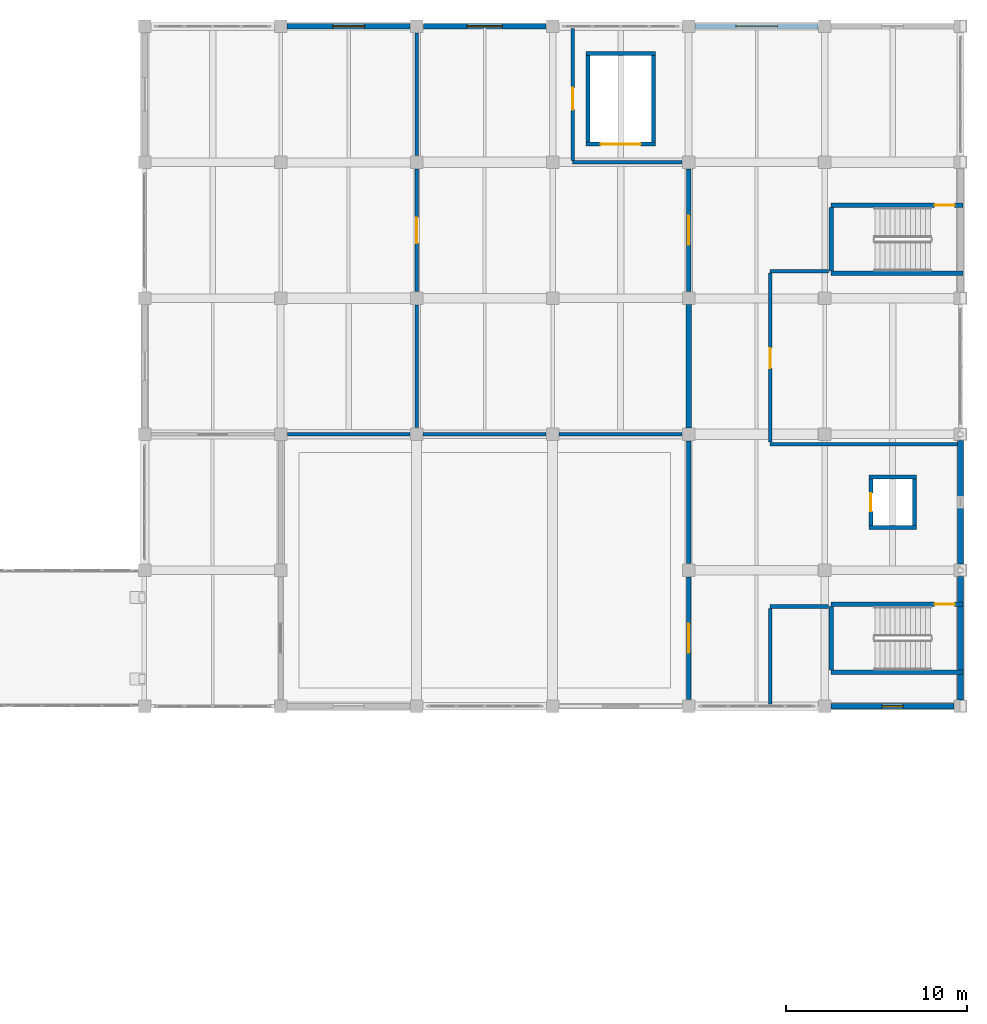
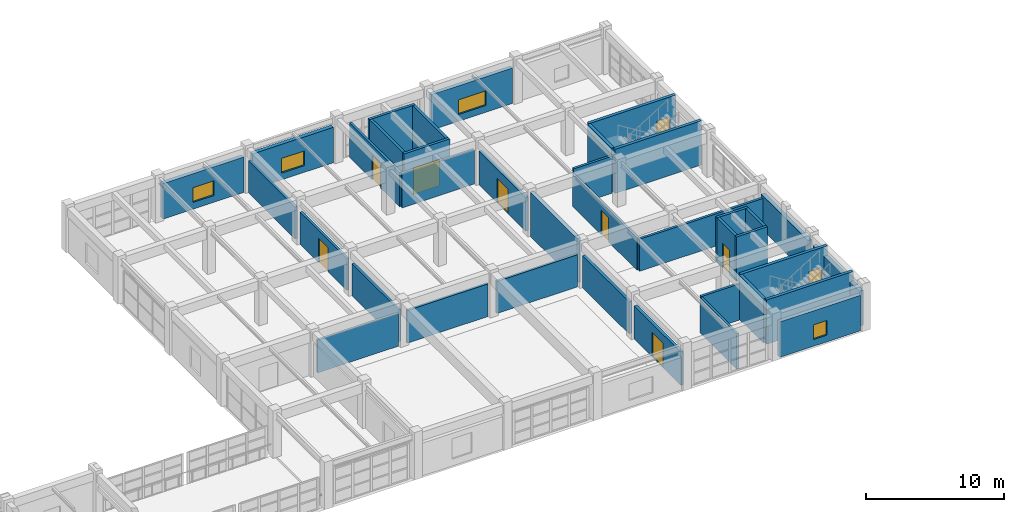
# One storey, part 108 of 132: 37 walls, 9 doors, 4 windows, 13 openings.
"""IFC4 building model written with IfcOpenShell, lengths in metres."""

import ifcopenshell
import ifcopenshell.guid

model = None  # the IFC model being written
_history = None  # IfcOwnerHistory: only IFC2X3 demands one
_inside = {}  # id of a spatial element -> (the spatial element, [elements in it])
_under = {}  # id of a project, library or spatial element -> (it, [spatial elements below it])
_declared = {}  # id of a project -> (the project, [libraries it declares])
_typed = {}  # id of a type object -> (the type object, [elements of that type])
_made_of = {}  # id of a material, layer set ... -> (it, [elements and type objects made of it])


def new_model(schema):
    """Start an empty IFC model of exactly this schema.

    Asked for "IFC4X3", IfcOpenShell would pick the latest addendum, in which some entities
    have other attributes; the version numbers below select the first issue.
    IFC2X3 requires an IfcOwnerHistory on every rooted entity: one is made here for all.
    """
    global model, _history
    if schema == "IFC4X3":
        model = ifcopenshell.file(schema_version=(4, 3, 0, 0))
    else:
        model = ifcopenshell.file(schema=schema)
    _inside.clear()
    _under.clear()
    _declared.clear()
    _typed.clear()
    _made_of.clear()
    _history = None
    if model.schema == "IFC2X3":
        org = make("IfcOrganization", Name="unknown")
        user = make(
            "IfcPersonAndOrganization",
            ThePerson=make("IfcPerson", FamilyName="unknown"),
            TheOrganization=org,
        )
        app = make(
            "IfcApplication",
            ApplicationDeveloper=org,
            Version="unknown",
            ApplicationFullName="unknown",
            ApplicationIdentifier="unknown",
        )
        _history = make(
            "IfcOwnerHistory",
            OwningUser=user,
            OwningApplication=app,
            ChangeAction="ADDED",
            CreationDate=0,
        )
    return model


def make(cls, **values):
    """One entity of the class cls with the attributes given. An attribute that is None is left unset."""
    return model.create_entity(
        cls, **{name: value for name, value in values.items() if value is not None}
    )


def rooted(cls, **values):
    """An entity with a GlobalId (a new one), such as an element, a storey or a relation."""
    return make(cls, GlobalId=ifcopenshell.guid.new(), OwnerHistory=_history, **values)


def si_unit(unit_type, name, prefix=None):
    """IfcSIUnit, for example si_unit("LENGTHUNIT", "METRE", prefix="MILLI")."""
    return make("IfcSIUnit", UnitType=unit_type, Prefix=prefix, Name=name)


def assignment(units):
    """IfcUnitAssignment: the units of a project."""
    return None if units is None else make("IfcUnitAssignment", Units=units)


def point(xyz):
    """IfcCartesianPoint."""
    return None if xyz is None else make("IfcCartesianPoint", Coordinates=xyz)


def direction(xyz):
    """IfcDirection."""
    return None if xyz is None else make("IfcDirection", DirectionRatios=xyz)


def frame(location, z_axis=None, x_axis=None):
    """IfcAxis2Placement3D, a coordinate frame: its origin and axes. An axis left out is left unset."""
    return make(
        "IfcAxis2Placement3D",
        Location=point(location),
        Axis=direction(z_axis),
        RefDirection=direction(x_axis),
    )


def frame_2d(location, x_axis=None):
    """IfcAxis2Placement2D, a coordinate frame in the plane: its origin and x axis."""
    return make(
        "IfcAxis2Placement2D", Location=point(location), RefDirection=direction(x_axis)
    )


def origin():
    """The frame at (0, 0, 0) with its axes left unset."""
    return frame((0.0, 0.0, 0.0))


def place(relative_to, where):
    """IfcLocalPlacement: puts the frame where relative to a parent placement (None: the world)."""
    return make(
        "IfcLocalPlacement", PlacementRelTo=relative_to, RelativePlacement=where
    )


def context(
    kind, dimensions, precision=None, world=None, true_north=None, identifier=None
):
    """IfcGeometricRepresentationContext, for example the 3D "Model" context."""
    return make(
        "IfcGeometricRepresentationContext",
        ContextIdentifier=identifier,
        ContextType=kind,
        CoordinateSpaceDimension=dimensions,
        Precision=precision,
        WorldCoordinateSystem=world,
        TrueNorth=true_north,
    )


def subcontext(parent, identifier, kind, view, scale=None):
    """IfcGeometricRepresentationSubContext, for example "Body" below "Model"."""
    return make(
        "IfcGeometricRepresentationSubContext",
        ContextIdentifier=identifier,
        ContextType=kind,
        ParentContext=parent,
        TargetScale=scale,
        TargetView=view,
    )


def project(units=None, contexts=None):
    """IfcProject with its units and contexts."""
    return rooted(
        "IfcProject",
        Name="project",
        RepresentationContexts=contexts,
        UnitsInContext=assignment(units),
    )


def spatial(cls, under=None, at=None, **own):
    """A site, building, storey or space (cls), placed at a placement, below another one or the project."""
    s = rooted(cls, ObjectPlacement=at, **own)
    if under is not None:
        _under.setdefault(under.id(), (under, []))[1].append(s)
    return s


def profile(cls, at=None, kind="AREA", **sizes):
    """A parametric profile (cls). Its sizes go by their IFC names, for example OverallWidth=200.0."""
    return make(cls, ProfileType=kind, Position=at, **sizes)


def rectangle(**sizes):
    """IfcRectangleProfileDef."""
    return profile("IfcRectangleProfileDef", **sizes)


def extrude(swept, where, along, depth):
    """IfcExtrudedAreaSolid: the profile swept, set in the frame where, extruded along a direction by depth."""
    return make(
        "IfcExtrudedAreaSolid",
        SweptArea=swept,
        Position=where,
        ExtrudedDirection=direction(along),
        Depth=depth,
    )


def shape(context_of_items, identifier, shape_type, items):
    """IfcShapeRepresentation: the items that make up one representation, for example the "Body"."""
    return make(
        "IfcShapeRepresentation",
        ContextOfItems=context_of_items,
        RepresentationIdentifier=identifier,
        RepresentationType=shape_type,
        Items=items,
    )


def material(Name=None, Category=None):
    """IfcMaterial."""
    return make("IfcMaterial", Name=Name, Category=Category)


def layer(
    of_material, thickness, ventilated=None, Name=None, Category=None, Priority=None
):
    """IfcMaterialLayer: one layer of a wall or slab, of a material (None: an air gap)."""
    return make(
        "IfcMaterialLayer",
        Material=of_material,
        LayerThickness=thickness,
        IsVentilated=ventilated,
        Name=Name,
        Category=Category,
        Priority=Priority,
    )


def layer_set(layers, Name=None):
    """IfcMaterialLayerSet."""
    return make("IfcMaterialLayerSet", MaterialLayers=layers, LayerSetName=Name)


def made_of(thing, what):
    """Note that an element or type object is made of a material, layer set ...; save() writes the relation."""
    if what is not None:
        _made_of.setdefault(what.id(), (what, []))[1].append(thing)
    return thing


def type_object(cls, material=None, **own):
    """A type object (cls), such as IfcWallType, which elements share."""
    return made_of(rooted(cls, **own), material)


def element(
    cls,
    number,
    at=None,
    inside=None,
    cuts=None,
    type_object=None,
    material=None,
    context=None,
    identifier="Body",
    shape_type=None,
    held_by="IfcProductDefinitionShape",
    body=None,
    shapes=None,
    **own,
):
    """One element of the class cls, such as IfcWall. Its Tag is "e" and its number.

    at: its placement. inside: the storey or other place that contains it. cuts: it is an
    opening in that element (IfcRelVoidsElement). A single representation is given by context,
    identifier, shape_type and body (its items); several are given by shapes. held_by: the class
    of the entity that holds the representations. save() writes the other relations.
    """
    e = rooted(cls, Tag="e%d" % number, ObjectPlacement=at, **own)
    if body is not None:
        shapes = [shape(context, identifier, shape_type, body)]
    if shapes is not None:
        e.Representation = make(held_by, Representations=shapes)
    if inside is not None:
        _inside.setdefault(inside.id(), (inside, []))[1].append(e)
    if cuts is not None:
        rooted(
            "IfcRelVoidsElement", RelatingBuildingElement=cuts, RelatedOpeningElement=e
        )
    if type_object is not None:
        _typed.setdefault(type_object.id(), (type_object, []))[1].append(e)
    return made_of(e, material)


def fill(opening, filler):
    """IfcRelFillsElement: the door or window that sits in an opening."""
    return rooted(
        "IfcRelFillsElement",
        RelatingOpeningElement=opening,
        RelatedBuildingElement=filler,
    )


def aggregate(whole, parts):
    """IfcRelAggregates: a whole, such as a stair, and the parts it consists of."""
    return rooted("IfcRelAggregates", RelatingObject=whole, RelatedObjects=parts)


def save(model, path):
    """Write the relations noted so far, then the file.

    IfcRelAggregates (storeys below a building ...), IfcRelContainedInSpatialStructure (elements
    in a storey), IfcRelDefinesByType, IfcRelAssociatesMaterial and IfcRelDeclares: one each for
    every whole, place, type object, material and project.
    """
    for whole, parts in _under.values():
        aggregate(whole, parts)
    for where, things in _inside.values():
        rooted(
            "IfcRelContainedInSpatialStructure",
            RelatedElements=things,
            RelatingStructure=where,
        )
    for kind, things in _typed.values():
        rooted("IfcRelDefinesByType", RelatedObjects=things, RelatingType=kind)
    for what, things in _made_of.values():
        rooted("IfcRelAssociatesMaterial", RelatedObjects=things, RelatingMaterial=what)
    for by, libraries in _declared.values():
        rooted("IfcRelDeclares", RelatingContext=by, RelatedDefinitions=libraries)
    model.write(path)


model = new_model("IFC4")

# Units and contexts
model_context = context("Model", 3, precision=1e-05, world=origin(), true_north=direction((0.0, 1.0)))
body_context = subcontext(model_context, "Body", "Model", "MODEL_VIEW")
ifc_project = project(units=[si_unit("LENGTHUNIT", "METRE"), si_unit("AREAUNIT", "SQUARE_METRE"), si_unit("VOLUMEUNIT", "CUBIC_METRE"), si_unit("PLANEANGLEUNIT", "RADIAN"), si_unit("MASSUNIT", "GRAM", prefix="KILO")], contexts=[model_context])

# Site, building, storey
site_placement = place(None, origin())
site = spatial("IfcSite", under=ifc_project, at=site_placement, CompositionType="ELEMENT")
building_placement = place(site_placement, origin())
building = spatial("IfcBuilding", under=site, at=building_placement, Name="Qasida Concert Hall", CompositionType="ELEMENT")
storey_placement = place(building_placement, frame((0.0, 0.0, 4.800048828125)))
storey = spatial("IfcBuildingStorey", under=building, at=storey_placement, Name="L01", CompositionType="ELEMENT", Elevation=4.800048828125)

# Walls
ifc_material_1 = material(Name="Concrete C40/50", Category="concrete")
ifc_layer_1 = layer(ifc_material_1, 0.219970703125, Name="Concrete C40/50")
ifc_layer_set_1 = layer_set([ifc_layer_1], Name="Concrete C40/50")
wall_type_1 = type_object("IfcWallType", Name="WL-CW-220", PredefinedType="SOLIDWALL", material=ifc_layer_set_1)
for number, where, z_axis, x_axis, name in (
    (1, (159.93994140625, 84.85009765625, 0.0), (0.0, 0.0, 1.0), (1.0, 0.0, 0.0), "L01 LF-09 lift shaft wall S"),
    (2, (159.93994140625, 87.64990234375, 0.0), (0.0, 0.0, 1.0), (1.0, 0.0, 0.0), "L01 LF-09 lift shaft wall N"),
):
    element("IfcWall", number, at=place(storey_placement, frame(where, z_axis=z_axis, x_axis=x_axis)), inside=storey, type_object=wall_type_1, Name=name, PredefinedType="SOLIDWALL", context=body_context, shape_type="SweptSolid", body=[
        extrude(rectangle(XDim=2.6201171875, YDim=0.219970703125, at=frame_2d((1.31005859375, 0.0))), origin(), (0.0, 0.0, 1.0), 3.919921875),
    ])

# Wall, opening, door
wall_1_placement = place(storey_placement, frame((160.050048828125, 84.9599609375, 0.0), z_axis=(0.0, 0.0, 1.0), x_axis=(0.0, 1.0, 0.0)))
wall_1 = element("IfcWall", 3, at=wall_1_placement, inside=storey, type_object=wall_type_1, Name="L01 LF-09 lift shaft wall W", PredefinedType="SOLIDWALL", context=body_context, shape_type="SweptSolid", body=[
    extrude(rectangle(XDim=2.580078125, YDim=0.219970703125, at=frame_2d((1.2900390625, 0.0))), origin(), (0.0, 0.0, 1.0), 3.919921875),
])
opening_1_placement = place(wall_1_placement, frame((0.7900390625, 0.0, 0.0)))
opening_1 = element("IfcOpeningElement", 4, at=opening_1_placement, cuts=wall_1, Name="Opening LD-100", PredefinedType="OPENING", context=body_context, shape_type="SweptSolid", body=[
    extrude(rectangle(XDim=1.0, YDim=2.14990234375, at=frame_2d((0.5, 1.074951171875))), frame((0.0, 0.119873046875, 0.0), z_axis=(0.0, -1.0, 0.0), x_axis=(1.0, 0.0, 0.0)), (0.0, 0.0, 1.0), 0.239990234375),
])
ifc_material_2 = material(Name="Brushed bronze passenger lift landing door", Category="steel")
door_type_1 = type_object("IfcDoorType", Name="LD-100", OperationType="SLIDING_TO_LEFT", PredefinedType="DOOR", material=ifc_material_2)
door_1_placement = place(opening_1_placement, origin())
door_1 = element("IfcDoor", 5, at=door_1_placement, inside=storey, type_object=door_type_1, Name="Lift landing door LF-09 L01", OperationType="SLIDING_TO_LEFT", OverallHeight=2.14990234375, OverallWidth=1.0, PredefinedType="DOOR", context=body_context, shape_type="SweptSolid", body=[
    extrude(rectangle(XDim=1.0, YDim=2.14990234375, at=frame_2d((0.5, 1.074951171875))), frame((0.0, 0.02490234375, 0.0), z_axis=(0.0, -1.0, 0.0), x_axis=(1.0, 0.0, 0.0)), (0.0, 0.0, 1.0), 0.050048828125),
])
fill(opening_1, door_1)

# Wall
wall_2_placement = place(storey_placement, frame((162.449951171875, 84.9599609375, 0.0), z_axis=(0.0, 0.0, 1.0), x_axis=(0.0, 1.0, 0.0)))
element("IfcWall", 6, at=wall_2_placement, inside=storey, type_object=wall_type_1, Name="L01 LF-09 lift shaft wall E", PredefinedType="SOLIDWALL", context=body_context, shape_type="SweptSolid", body=[
    extrude(rectangle(XDim=2.580078125, YDim=0.219970703125, at=frame_2d((1.2900390625, 0.0))), origin(), (0.0, 0.0, 1.0), 3.919921875),
])

# Wall, opening, door
wall_3_placement = place(storey_placement, frame((144.340087890625, 106.0, 0.0), z_axis=(0.0, 0.0, 1.0), x_axis=(1.0, 0.0, 0.0)))
wall_3 = element("IfcWall", 7, at=wall_3_placement, inside=storey, type_object=wall_type_1, Name="L01 LF-10 lift shaft wall S", PredefinedType="SOLIDWALL", context=body_context, shape_type="SweptSolid", body=[
    extrude(rectangle(XDim=3.81982421875, YDim=0.219970703125, at=frame_2d((1.909912109375, 0.0))), origin(), (0.0, 0.0, 1.0), 3.919921875),
])
opening_2_placement = place(wall_3_placement, frame((0.81005859375, 0.0, 0.0)))
opening_2 = element("IfcOpeningElement", 8, at=opening_2_placement, cuts=wall_3, Name="Opening LD-220", PredefinedType="OPENING", context=body_context, shape_type="SweptSolid", body=[
    extrude(rectangle(XDim=2.199951171875, YDim=2.35009765625, at=frame_2d((1.10009765625, 1.175048828125))), frame((0.0, 0.119873046875, 0.0), z_axis=(0.0, -1.0, 0.0), x_axis=(1.0, 0.0, 0.0)), (0.0, 0.0, 1.0), 0.239990234375),
])
ifc_material_3 = material(Name="Piano freight lift bi-parting landing door", Category="steel")
door_type_2 = type_object("IfcDoorType", Name="LD-220", OperationType="DOUBLE_DOOR_SLIDING", PredefinedType="DOOR", material=ifc_material_3)
door_2_placement = place(opening_2_placement, origin())
door_2 = element("IfcDoor", 9, at=door_2_placement, inside=storey, type_object=door_type_2, Name="Lift landing door LF-10 L01", OperationType="DOUBLE_DOOR_SLIDING", OverallHeight=2.35009765625, OverallWidth=2.199951171875, PredefinedType="DOOR", context=body_context, shape_type="SweptSolid", body=[
    extrude(rectangle(XDim=2.199951171875, YDim=2.35009765625, at=frame_2d((1.10009765625, 1.175048828125))), frame((0.0, 0.02490234375, 0.0), z_axis=(0.0, -1.0, 0.0), x_axis=(1.0, 0.0, 0.0)), (0.0, 0.0, 1.0), 0.050048828125),
])
fill(opening_2, door_2)

# Walls
wall_4_placement = place(storey_placement, frame((144.340087890625, 111.0, 0.0), z_axis=(0.0, 0.0, 1.0), x_axis=(1.0, 0.0, 0.0)))
element("IfcWall", 10, at=wall_4_placement, inside=storey, type_object=wall_type_1, Name="L01 LF-10 lift shaft wall N", PredefinedType="SOLIDWALL", context=body_context, shape_type="SweptSolid", body=[
    extrude(rectangle(XDim=3.81982421875, YDim=0.219970703125, at=frame_2d((1.909912109375, 0.0))), origin(), (0.0, 0.0, 1.0), 3.919921875),
])
for number, where, z_axis, x_axis, name in (
    (11, (144.449951171875, 106.110107421875, 0.0), (0.0, 0.0, 1.0), (0.0, 1.0, 0.0), "L01 LF-10 lift shaft wall W"),
    (12, (148.050048828125, 106.110107421875, 0.0), (0.0, 0.0, 1.0), (0.0, 1.0, 0.0), "L01 LF-10 lift shaft wall E"),
):
    element("IfcWall", number, at=place(storey_placement, frame(where, z_axis=z_axis, x_axis=x_axis)), inside=storey, type_object=wall_type_1, Name=name, PredefinedType="SOLIDWALL", context=body_context, shape_type="SweptSolid", body=[
        extrude(rectangle(XDim=4.77978515625, YDim=0.219970703125, at=frame_2d((2.389892578125, 0.0))), origin(), (0.0, 0.0, 1.0), 3.919921875),
    ])
ifc_layer_2 = layer(ifc_material_1, 0.25, Name="Concrete C40/50")
ifc_layer_set_2 = layer_set([ifc_layer_2], Name="Concrete C40/50")
wall_type_2 = type_object("IfcWallType", Name="WL-CW-250", PredefinedType="SOLIDWALL", material=ifc_layer_set_2)
wall_5_placement = place(storey_placement, frame((157.860107421875, 76.875, 0.0), z_axis=(0.0, 0.0, 1.0), x_axis=(1.0, 0.0, 0.0)))
element("IfcWall", 13, at=wall_5_placement, inside=storey, type_object=wall_type_2, Name="L01 ST-07 stairwell wall S", PredefinedType="SOLIDWALL", context=body_context, shape_type="SweptSolid", body=[
    extrude(rectangle(XDim=7.260009765625, YDim=0.25, at=frame_2d((3.6298828125, 0.0))), origin(), (0.0, 0.0, 1.0), 3.919921875),
])

# Wall, opening, door
wall_6_placement = place(storey_placement, frame((157.860107421875, 80.625, 0.0), z_axis=(0.0, 0.0, 1.0), x_axis=(1.0, 0.0, 0.0)))
wall_6 = element("IfcWall", 14, at=wall_6_placement, inside=storey, type_object=wall_type_2, Name="L01 ST-07 stairwell wall N", PredefinedType="SOLIDWALL", context=body_context, shape_type="SweptSolid", body=[
    extrude(rectangle(XDim=7.260009765625, YDim=0.25, at=frame_2d((3.6298828125, 0.0))), origin(), (0.0, 0.0, 1.0), 3.919921875),
])
opening_3_placement = place(wall_6_placement, frame((5.7099609375, 0.0, 0.0)))
opening_3 = element("IfcOpeningElement", 15, at=opening_3_placement, cuts=wall_6, Name="Opening FD-110", PredefinedType="OPENING", context=body_context, shape_type="SweptSolid", body=[
    extrude(rectangle(XDim=1.10009765625, YDim=2.14990234375, at=frame_2d((0.550048828125, 1.074951171875))), frame((0.0, 0.135009765625, 0.0), z_axis=(0.0, -1.0, 0.0), x_axis=(1.0, 0.0, 0.0)), (0.0, 0.0, 1.0), 0.27001953125),
])
ifc_material_4 = material(Name="Steel fire-rated stair/lobby door set", Category="steel")
door_type_3 = type_object("IfcDoorType", Name="FD-110", OperationType="NOTDEFINED", PredefinedType="DOOR", material=ifc_material_4)
door_3_placement = place(opening_3_placement, origin())
door_3 = element("IfcDoor", 16, at=door_3_placement, inside=storey, type_object=door_type_3, Name="L01 ST-07 rated stair door", OperationType="SINGLE_SWING_RIGHT", OverallHeight=2.14990234375, OverallWidth=1.10009765625, PredefinedType="DOOR", context=body_context, shape_type="SweptSolid", body=[
    extrude(rectangle(XDim=1.10009765625, YDim=2.14990234375, at=frame_2d((0.550048828125, 1.074951171875))), frame((0.0, 0.02490234375, 0.0), z_axis=(0.0, -1.0, 0.0), x_axis=(1.0, 0.0, 0.0)), (0.0, 0.0, 1.0), 0.050048828125),
])
fill(opening_3, door_3)

# Walls
wall_7_placement = place(storey_placement, frame((157.85498046875, 77.0, 0.0), z_axis=(0.0, 0.0, 1.0), x_axis=(0.0, 1.0, 0.0)))
element("IfcWall", 17, at=wall_7_placement, inside=storey, type_object=wall_type_2, Name="L01 ST-07 stairwell wall W", PredefinedType="SOLIDWALL", context=body_context, shape_type="SweptSolid", body=[
    extrude(rectangle(XDim=3.5, YDim=0.25, at=frame_2d((1.75, 0.0))), origin(), (0.0, 0.0, 1.0), 3.919921875),
])
wall_8_placement = place(storey_placement, frame((157.860107421875, 98.875, 0.0), z_axis=(0.0, 0.0, 1.0), x_axis=(1.0, 0.0, 0.0)))
element("IfcWall", 18, at=wall_8_placement, inside=storey, type_object=wall_type_2, Name="L01 ST-08 stairwell wall S", PredefinedType="SOLIDWALL", context=body_context, shape_type="SweptSolid", body=[
    extrude(rectangle(XDim=7.260009765625, YDim=0.25, at=frame_2d((3.6298828125, 0.0))), origin(), (0.0, 0.0, 1.0), 3.919921875),
])

# Wall, opening, door
wall_9_placement = place(storey_placement, frame((157.860107421875, 102.625, 0.0), z_axis=(0.0, 0.0, 1.0), x_axis=(1.0, 0.0, 0.0)))
wall_9 = element("IfcWall", 19, at=wall_9_placement, inside=storey, type_object=wall_type_2, Name="L01 ST-08 stairwell wall N", PredefinedType="SOLIDWALL", context=body_context, shape_type="SweptSolid", body=[
    extrude(rectangle(XDim=7.260009765625, YDim=0.25, at=frame_2d((3.6298828125, 0.0))), origin(), (0.0, 0.0, 1.0), 3.919921875),
])
opening_4_placement = place(wall_9_placement, frame((5.7099609375, 0.0, 0.0)))
opening_4 = element("IfcOpeningElement", 20, at=opening_4_placement, cuts=wall_9, Name="Opening FD-110", PredefinedType="OPENING", context=body_context, shape_type="SweptSolid", body=[
    extrude(rectangle(XDim=1.10009765625, YDim=2.14990234375, at=frame_2d((0.550048828125, 1.074951171875))), frame((0.0, 0.135009765625, 0.0), z_axis=(0.0, -1.0, 0.0), x_axis=(1.0, 0.0, 0.0)), (0.0, 0.0, 1.0), 0.27001953125),
])
door_4_placement = place(opening_4_placement, origin())
door_4 = element("IfcDoor", 21, at=door_4_placement, inside=storey, type_object=door_type_3, Name="L01 ST-08 rated stair door", OperationType="SINGLE_SWING_RIGHT", OverallHeight=2.14990234375, OverallWidth=1.10009765625, PredefinedType="DOOR", context=body_context, shape_type="SweptSolid", body=[
    extrude(rectangle(XDim=1.10009765625, YDim=2.14990234375, at=frame_2d((0.550048828125, 1.074951171875))), frame((0.0, 0.02490234375, 0.0), z_axis=(0.0, -1.0, 0.0), x_axis=(1.0, 0.0, 0.0)), (0.0, 0.0, 1.0), 0.050048828125),
])
fill(opening_4, door_4)

# Wall
wall_10_placement = place(storey_placement, frame((157.85498046875, 99.0, 0.0), z_axis=(0.0, 0.0, 1.0), x_axis=(0.0, 1.0, 0.0)))
element("IfcWall", 22, at=wall_10_placement, inside=storey, type_object=wall_type_2, Name="L01 ST-08 stairwell wall W", PredefinedType="SOLIDWALL", context=body_context, shape_type="SweptSolid", body=[
    extrude(rectangle(XDim=3.5, YDim=0.25, at=frame_2d((1.75, 0.0))), origin(), (0.0, 0.0, 1.0), 3.919921875),
])

# Wall, opening, window
ifc_material_5 = material(Name="Precast concrete C40/50", Category="concrete")
ifc_layer_3 = layer(ifc_material_5, 0.320068359375, Name="Precast concrete C40/50")
ifc_layer_set_3 = layer_set([ifc_layer_3], Name="Precast concrete C40/50")
wall_type_3 = type_object("IfcWallType", Name="WL-EW-320", PredefinedType="SOLIDWALL", material=ifc_layer_set_3)
wall_11_placement = place(storey_placement, frame((127.85498046875, 112.5, 0.0), z_axis=(0.0, 0.0, 1.0), x_axis=(1.0, 0.0, 0.0)))
wall_11 = element("IfcWall", 23, at=wall_11_placement, inside=storey, type_object=wall_type_3, Name="L01 exterior wall EW-320 0187", PredefinedType="SOLIDWALL", context=body_context, shape_type="SweptSolid", body=[
    extrude(rectangle(XDim=6.780029296875, YDim=0.320068359375, at=frame_2d((3.39013671875, 0.0))), origin(), (0.0, 0.0, 1.0), 3.139892578125),
])
opening_5_placement = place(wall_11_placement, frame((2.52001953125, 0.0, 0.60009765625)))
opening_5 = element("IfcOpeningElement", 24, at=opening_5_placement, cuts=wall_11, Name="Opening WN-13", PredefinedType="OPENING", context=body_context, shape_type="SweptSolid", body=[
    extrude(rectangle(XDim=1.75, YDim=1.300048828125, at=frame_2d((0.875, 0.64990234375))), frame((0.0, 0.169921875, 0.0), z_axis=(0.0, -1.0, 0.0), x_axis=(1.0, 0.0, 0.0)), (0.0, 0.0, 1.0), 0.340087890625),
])
ifc_material_6 = material(Name="Bronze-anodized aluminium frame with acoustic low-E glazing", Category="aluminium")
window_type_1 = type_object("IfcWindowType", Name="WN-13", PartitioningType="SINGLE_PANEL", PredefinedType="WINDOW", material=ifc_material_6)
window_1_placement = place(opening_5_placement, origin())
window_1 = element("IfcWindow", 25, at=window_1_placement, inside=storey, type_object=window_type_1, Name="L01 window WN-13 0092", OverallHeight=1.300048828125, OverallWidth=1.75, PartitioningType="SINGLE_PANEL", PredefinedType="WINDOW", context=body_context, shape_type="SweptSolid", body=[
    extrude(rectangle(XDim=1.75, YDim=1.300048828125, at=frame_2d((0.875, 0.64990234375))), frame((0.0, 0.030029296875, 0.0), z_axis=(0.0, -1.0, 0.0), x_axis=(1.0, 0.0, 0.0)), (0.0, 0.0, 1.0), 0.06005859375),
])
fill(opening_5, window_1)

wall_12_placement = place(storey_placement, frame((135.364990234375, 112.5, 0.0), z_axis=(0.0, 0.0, 1.0), x_axis=(1.0, 0.0, 0.0)))
wall_12 = element("IfcWall", 26, at=wall_12_placement, inside=storey, type_object=wall_type_3, Name="L01 exterior wall EW-320 0188", PredefinedType="SOLIDWALL", context=body_context, shape_type="SweptSolid", body=[
    extrude(rectangle(XDim=6.77001953125, YDim=0.320068359375, at=frame_2d((3.385009765625, 0.0))), origin(), (0.0, 0.0, 1.0), 3.139892578125),
])
opening_6_placement = place(wall_12_placement, frame((2.409912109375, 0.0, 0.60009765625)))
opening_6 = element("IfcOpeningElement", 27, at=opening_6_placement, cuts=wall_12, Name="Opening WN-14", PredefinedType="OPENING", context=body_context, shape_type="SweptSolid", body=[
    extrude(rectangle(XDim=1.949951171875, YDim=1.300048828125, at=frame_2d((0.97509765625, 0.64990234375))), frame((0.0, 0.169921875, 0.0), z_axis=(0.0, -1.0, 0.0), x_axis=(1.0, 0.0, 0.0)), (0.0, 0.0, 1.0), 0.340087890625),
])
window_type_2 = type_object("IfcWindowType", Name="WN-14", PartitioningType="SINGLE_PANEL", PredefinedType="WINDOW", material=ifc_material_6)
window_2_placement = place(opening_6_placement, origin())
window_2 = element("IfcWindow", 28, at=window_2_placement, inside=storey, type_object=window_type_2, Name="L01 window WN-14 0093", OverallHeight=1.300048828125, OverallWidth=1.949951171875, PartitioningType="SINGLE_PANEL", PredefinedType="WINDOW", context=body_context, shape_type="SweptSolid", body=[
    extrude(rectangle(XDim=1.949951171875, YDim=1.300048828125, at=frame_2d((0.97509765625, 0.64990234375))), frame((0.0, 0.030029296875, 0.0), z_axis=(0.0, -1.0, 0.0), x_axis=(1.0, 0.0, 0.0)), (0.0, 0.0, 1.0), 0.06005859375),
])
fill(opening_6, window_2)

wall_13_placement = place(storey_placement, frame((150.364990234375, 112.5, 0.0), z_axis=(0.0, 0.0, 1.0), x_axis=(1.0, 0.0, 0.0)))
wall_13 = element("IfcWall", 29, at=wall_13_placement, inside=storey, type_object=wall_type_3, Name="L01 exterior wall EW-320 0190", PredefinedType="SOLIDWALL", context=body_context, shape_type="SweptSolid", body=[
    extrude(rectangle(XDim=6.77001953125, YDim=0.320068359375, at=frame_2d((3.385009765625, 0.0))), origin(), (0.0, 0.0, 1.0), 3.139892578125),
])
opening_7_placement = place(wall_13_placement, frame((2.235107421875, 0.0, 0.60009765625)))
opening_7 = element("IfcOpeningElement", 30, at=opening_7_placement, cuts=wall_13, Name="Opening WN-16", PredefinedType="OPENING", context=body_context, shape_type="SweptSolid", body=[
    extrude(rectangle(XDim=2.300048828125, YDim=1.300048828125, at=frame_2d((1.14990234375, 0.64990234375))), frame((0.0, 0.169921875, 0.0), z_axis=(0.0, -1.0, 0.0), x_axis=(1.0, 0.0, 0.0)), (0.0, 0.0, 1.0), 0.340087890625),
])
window_type_3 = type_object("IfcWindowType", Name="WN-16", PartitioningType="SINGLE_PANEL", PredefinedType="WINDOW", material=ifc_material_6)
window_3_placement = place(opening_7_placement, origin())
window_3 = element("IfcWindow", 31, at=window_3_placement, inside=storey, type_object=window_type_3, Name="L01 window WN-16 0095", OverallHeight=1.300048828125, OverallWidth=2.300048828125, PartitioningType="SINGLE_PANEL", PredefinedType="WINDOW", context=body_context, shape_type="SweptSolid", body=[
    extrude(rectangle(XDim=2.300048828125, YDim=1.300048828125, at=frame_2d((1.14990234375, 0.64990234375))), frame((0.0, 0.030029296875, 0.0), z_axis=(0.0, -1.0, 0.0), x_axis=(1.0, 0.0, 0.0)), (0.0, 0.0, 1.0), 0.06005859375),
])
fill(opening_7, window_3)

wall_14_placement = place(storey_placement, frame((157.864990234375, 75.0, 0.0), z_axis=(0.0, 0.0, 1.0), x_axis=(1.0, 0.0, 0.0)))
wall_14 = element("IfcWall", 32, at=wall_14_placement, inside=storey, type_object=wall_type_3, Name="L01 exterior wall EW-320 0191", PredefinedType="SOLIDWALL", context=body_context, shape_type="SweptSolid", body=[
    extrude(rectangle(XDim=6.77001953125, YDim=0.320068359375, at=frame_2d((3.385009765625, 0.0))), origin(), (0.0, 0.0, 1.0), 3.139892578125),
])
opening_8_placement = place(wall_14_placement, frame((2.81005859375, 0.0, 0.60009765625)))
opening_8 = element("IfcOpeningElement", 33, at=opening_8_placement, cuts=wall_14, Name="Opening WN-09", PredefinedType="OPENING", context=body_context, shape_type="SweptSolid", body=[
    extrude(rectangle(XDim=1.14990234375, YDim=1.300048828125, at=frame_2d((0.574951171875, 0.64990234375))), frame((0.0, 0.169921875, 0.0), z_axis=(0.0, -1.0, 0.0), x_axis=(1.0, 0.0, 0.0)), (0.0, 0.0, 1.0), 0.340087890625),
])
window_type_4 = type_object("IfcWindowType", Name="WN-09", PartitioningType="SINGLE_PANEL", PredefinedType="WINDOW", material=ifc_material_6)
window_4_placement = place(opening_8_placement, origin())
window_4 = element("IfcWindow", 34, at=window_4_placement, inside=storey, type_object=window_type_4, Name="L01 window WN-09 0096", OverallHeight=1.300048828125, OverallWidth=1.14990234375, PartitioningType="SINGLE_PANEL", PredefinedType="WINDOW", context=body_context, shape_type="SweptSolid", body=[
    extrude(rectangle(XDim=1.14990234375, YDim=1.300048828125, at=frame_2d((0.574951171875, 0.64990234375))), frame((0.0, 0.030029296875, 0.0), z_axis=(0.0, -1.0, 0.0), x_axis=(1.0, 0.0, 0.0)), (0.0, 0.0, 1.0), 0.06005859375),
])
fill(opening_8, window_4)

# Walls
wall_15_placement = place(storey_placement, frame((165.0, 75.35498046875, 0.0), z_axis=(0.0, 0.0, 1.0), x_axis=(0.0, 1.0, 0.0)))
element("IfcWall", 35, at=wall_15_placement, inside=storey, type_object=wall_type_3, Name="L01 exterior wall EW-320 0193", PredefinedType="SOLIDWALL", context=body_context, shape_type="SweptSolid", body=[
    extrude(rectangle(XDim=6.7900390625, YDim=0.320068359375, at=frame_2d((3.39501953125, 0.0))), origin(), (0.0, 0.0, 1.0), 3.08984375),
])
wall_16_placement = place(storey_placement, frame((165.0, 82.85498046875, 0.0), z_axis=(0.0, 0.0, 1.0), x_axis=(0.0, 1.0, 0.0)))
element("IfcWall", 36, at=wall_16_placement, inside=storey, type_object=wall_type_3, Name="L01 exterior wall EW-320 0194", PredefinedType="SOLIDWALL", context=body_context, shape_type="SweptSolid", body=[
    extrude(rectangle(XDim=6.7900390625, YDim=0.320068359375, at=frame_2d((3.39501953125, 0.0))), origin(), (0.0, 0.0, 1.0), 3.0400390625),
])
ifc_material_7 = material(Name="Acoustic gypsum block and mineral wool", Category="gypsum")
ifc_layer_4 = layer(ifc_material_7, 0.199951171875, Name="Acoustic gypsum block and mineral wool")
ifc_layer_set_4 = layer_set([ifc_layer_4], Name="Acoustic gypsum block and mineral wool")
wall_type_4 = type_object("IfcWallType", Name="WL-PW-200", PredefinedType="PARTITIONING", material=ifc_layer_set_4)
wall_17_placement = place(storey_placement, frame((143.60009765625, 105.0, 0.0), z_axis=(0.0, 0.0, 1.0), x_axis=(1.0, 0.0, 0.0)))
element("IfcWall", 37, at=wall_17_placement, inside=storey, type_object=wall_type_4, Name="L01 partition PW-200 0526", PredefinedType="PARTITIONING", context=body_context, shape_type="SweptSolid", body=[
    extrude(rectangle(XDim=6.035888671875, YDim=0.199951171875, at=frame_2d((3.01806640625, 0.0))), origin(), (0.0, 0.0, 1.0), 3.0400390625),
])

# Wall, opening, door
wall_18_placement = place(storey_placement, frame((143.60009765625, 105.114013671875, 0.0), z_axis=(0.0, 0.0, 1.0), x_axis=(0.0, 1.0, 0.0)))
wall_18 = element("IfcWall", 38, at=wall_18_placement, inside=storey, type_object=wall_type_4, Name="L01 partition PW-200 0527", PredefinedType="PARTITIONING", context=body_context, shape_type="SweptSolid", body=[
    extrude(rectangle(XDim=7.27392578125, YDim=0.199951171875, at=frame_2d((3.636962890625, 0.0))), origin(), (0.0, 0.0, 1.0), 3.0400390625),
])
opening_9_placement = place(wall_18_placement, frame((2.785888671875, 0.0, 0.0)))
opening_9 = element("IfcOpeningElement", 39, at=opening_9_placement, cuts=wall_18, Name="Opening FD-120", PredefinedType="OPENING", context=body_context, shape_type="SweptSolid", body=[
    extrude(rectangle(XDim=1.199951171875, YDim=2.14990234375, at=frame_2d((0.60009765625, 1.074951171875))), frame((0.0, 0.10986328125, 0.0), z_axis=(0.0, -1.0, 0.0), x_axis=(1.0, 0.0, 0.0)), (0.0, 0.0, 1.0), 0.219970703125),
])
ifc_material_8 = material(Name="Steel fire-rated acoustic door set", Category="steel")
door_type_4 = type_object("IfcDoorType", Name="FD-120", OperationType="NOTDEFINED", PredefinedType="DOOR", material=ifc_material_8)
door_5_placement = place(opening_9_placement, origin())
door_5 = element("IfcDoor", 40, at=door_5_placement, inside=storey, type_object=door_type_4, Name="L01 L01 freight lift airlock door", OperationType="SINGLE_SWING_RIGHT", OverallHeight=2.14990234375, OverallWidth=1.199951171875, PredefinedType="DOOR", context=body_context, shape_type="SweptSolid", body=[
    extrude(rectangle(XDim=1.199951171875, YDim=2.14990234375, at=frame_2d((0.60009765625, 1.074951171875))), frame((0.0, 0.02490234375, 0.0), z_axis=(0.0, -1.0, 0.0), x_axis=(1.0, 0.0, 0.0)), (0.0, 0.0, 1.0), 0.050048828125),
])
fill(opening_9, door_5)

# Walls
wall_19_placement = place(storey_placement, frame((154.5, 80.5, 0.0), z_axis=(0.0, 0.0, 1.0), x_axis=(1.0, 0.0, 0.0)))
element("IfcWall", 41, at=wall_19_placement, inside=storey, type_object=wall_type_4, Name="L01 partition PW-200 0528", PredefinedType="PARTITIONING", context=body_context, shape_type="SweptSolid", body=[
    extrude(rectangle(XDim=3.216064453125, YDim=0.199951171875, at=frame_2d((1.60791015625, 0.0))), origin(), (0.0, 0.0, 1.0), 3.18994140625),
])
wall_20_placement = place(storey_placement, frame((154.5, 75.112060546875, 0.0), z_axis=(0.0, 0.0, 1.0), x_axis=(0.0, 1.0, 0.0)))
element("IfcWall", 42, at=wall_20_placement, inside=storey, type_object=wall_type_4, Name="L01 partition PW-200 0529", PredefinedType="PARTITIONING", context=body_context, shape_type="SweptSolid", body=[
    extrude(rectangle(XDim=5.27392578125, YDim=0.199951171875, at=frame_2d((2.636962890625, 0.0))), origin(), (0.0, 0.0, 1.0), 3.139892578125),
])
wall_21_placement = place(storey_placement, frame((154.5, 89.449951171875, 0.0), z_axis=(0.0, 0.0, 1.0), x_axis=(1.0, 0.0, 0.0)))
element("IfcWall", 43, at=wall_21_placement, inside=storey, type_object=wall_type_4, Name="L01 partition PW-200 0530", PredefinedType="PARTITIONING", context=body_context, shape_type="SweptSolid", body=[
    extrude(rectangle(XDim=10.325927734375, YDim=0.199951171875, at=frame_2d((5.1630859375, 0.0))), origin(), (0.0, 0.0, 1.0), 2.83984375),
])
wall_22_placement = place(storey_placement, frame((154.5, 99.0, 0.0), z_axis=(0.0, 0.0, 1.0), x_axis=(1.0, 0.0, 0.0)))
element("IfcWall", 44, at=wall_22_placement, inside=storey, type_object=wall_type_4, Name="L01 partition PW-200 0531", PredefinedType="PARTITIONING", context=body_context, shape_type="SweptSolid", body=[
    extrude(rectangle(XDim=3.216064453125, YDim=0.199951171875, at=frame_2d((1.60791015625, 0.0))), origin(), (0.0, 0.0, 1.0), 3.27001953125),
])

# Wall, opening, door
wall_23_placement = place(storey_placement, frame((154.5, 89.56396484375, 0.0), z_axis=(0.0, 0.0, 1.0), x_axis=(0.0, 1.0, 0.0)))
wall_23 = element("IfcWall", 45, at=wall_23_placement, inside=storey, type_object=wall_type_4, Name="L01 partition PW-200 0532", PredefinedType="PARTITIONING", context=body_context, shape_type="SweptSolid", body=[
    extrude(rectangle(XDim=9.322021484375, YDim=0.199951171875, at=frame_2d((4.6611328125, 0.0))), origin(), (0.0, 0.0, 1.0), 2.83984375),
])
opening_10_placement = place(wall_23_placement, frame((4.0859375, 0.0, 0.0)))
opening_10 = element("IfcOpeningElement", 46, at=opening_10_placement, cuts=wall_23, Name="Opening FD-110", PredefinedType="OPENING", context=body_context, shape_type="SweptSolid", body=[
    extrude(rectangle(XDim=1.10009765625, YDim=2.14990234375, at=frame_2d((0.550048828125, 1.074951171875))), frame((0.0, 0.10986328125, 0.0), z_axis=(0.0, -1.0, 0.0), x_axis=(1.0, 0.0, 0.0)), (0.0, 0.0, 1.0), 0.219970703125),
])
door_6_placement = place(opening_10_placement, origin())
door_6 = element("IfcDoor", 47, at=door_6_placement, inside=storey, type_object=door_type_3, Name="L01 L01 stage dimmer rack room door", OperationType="SINGLE_SWING_LEFT", OverallHeight=2.14990234375, OverallWidth=1.10009765625, PredefinedType="DOOR", context=body_context, shape_type="SweptSolid", body=[
    extrude(rectangle(XDim=1.10009765625, YDim=2.14990234375, at=frame_2d((0.550048828125, 1.074951171875))), frame((0.0, 0.02490234375, 0.0), z_axis=(0.0, -1.0, 0.0), x_axis=(1.0, 0.0, 0.0)), (0.0, 0.0, 1.0), 0.050048828125),
])
fill(opening_10, door_6)

# Walls
for number, where, z_axis, x_axis, name in (
    (48, (127.864013671875, 90.0, 0.0), (0.0, 0.0, 1.0), (1.0, 0.0, 0.0), "L01 partition PW-200 0559"),
    (49, (135.364013671875, 90.0, 0.0), (0.0, 0.0, 1.0), (1.0, 0.0, 0.0), "L01 partition PW-200 0560"),
):
    element("IfcWall", number, at=place(storey_placement, frame(where, z_axis=z_axis, x_axis=x_axis)), inside=storey, type_object=wall_type_4, Name=name, PredefinedType="PARTITIONING", context=body_context, shape_type="SweptSolid", body=[
        extrude(rectangle(XDim=6.77197265625, YDim=0.199951171875, at=frame_2d((3.385986328125, 0.0))), origin(), (0.0, 0.0, 1.0), 2.889892578125),
    ])
for number, where, z_axis, x_axis, name in (
    (50, (142.864013671875, 90.0, 0.0), (0.0, 0.0, 1.0), (1.0, 0.0, 0.0), "L01 partition PW-200 0561"),
    (51, (135.0, 90.364013671875, 0.0), (0.0, 0.0, 1.0), (0.0, 1.0, 0.0), "L01 partition PW-200 0564"),
):
    element("IfcWall", number, at=place(storey_placement, frame(where, z_axis=z_axis, x_axis=x_axis)), inside=storey, type_object=wall_type_4, Name=name, PredefinedType="PARTITIONING", context=body_context, shape_type="SweptSolid", body=[
        extrude(rectangle(XDim=6.77197265625, YDim=0.199951171875, at=frame_2d((3.385986328125, 0.0))), origin(), (0.0, 0.0, 1.0), 2.83984375),
    ])

# Wall, opening, door
wall_24_placement = place(storey_placement, frame((135.0, 97.864013671875, 0.0), z_axis=(0.0, 0.0, 1.0), x_axis=(0.0, 1.0, 0.0)))
wall_24 = element("IfcWall", 52, at=wall_24_placement, inside=storey, type_object=wall_type_4, Name="L01 partition PW-200 0565", PredefinedType="PARTITIONING", context=body_context, shape_type="SweptSolid", body=[
    extrude(rectangle(XDim=6.77197265625, YDim=0.199951171875, at=frame_2d((3.385986328125, 0.0))), origin(), (0.0, 0.0, 1.0), 2.83984375),
])
opening_11_placement = place(wall_24_placement, frame((2.68603515625, 0.0, 0.0)))
opening_11 = element("IfcOpeningElement", 53, at=opening_11_placement, cuts=wall_24, Name="Opening AD-140", PredefinedType="OPENING", context=body_context, shape_type="SweptSolid", body=[
    extrude(rectangle(XDim=1.39990234375, YDim=2.139892578125, at=frame_2d((0.699951171875, 1.06982421875))), frame((0.0, 0.10986328125, 0.0), z_axis=(0.0, -1.0, 0.0), x_axis=(1.0, 0.0, 0.0)), (0.0, 0.0, 1.0), 0.219970703125),
])
ifc_material_9 = material(Name="Acoustic studio sound-lock door", Category="wood")
door_type_5 = type_object("IfcDoorType", Name="AD-140", OperationType="NOTDEFINED", PredefinedType="DOOR", material=ifc_material_9)
door_7_placement = place(opening_11_placement, origin())
door_7 = element("IfcDoor", 54, at=door_7_placement, inside=storey, type_object=door_type_5, Name="L01 Choral rehearsal crossover door", OperationType="SINGLE_SWING_RIGHT", OverallHeight=2.139892578125, OverallWidth=1.39990234375, PredefinedType="DOOR", context=body_context, shape_type="SweptSolid", body=[
    extrude(rectangle(XDim=1.39990234375, YDim=2.139892578125, at=frame_2d((0.699951171875, 1.06982421875))), frame((0.0, 0.02490234375, 0.0), z_axis=(0.0, -1.0, 0.0), x_axis=(1.0, 0.0, 0.0)), (0.0, 0.0, 1.0), 0.050048828125),
])
fill(opening_11, door_7)

# Wall
wall_25_placement = place(storey_placement, frame((135.0, 105.364013671875, 0.0), z_axis=(0.0, 0.0, 1.0), x_axis=(0.0, 1.0, 0.0)))
element("IfcWall", 55, at=wall_25_placement, inside=storey, type_object=wall_type_4, Name="L01 partition PW-200 0566", PredefinedType="PARTITIONING", context=body_context, shape_type="SweptSolid", body=[
    extrude(rectangle(XDim=6.77197265625, YDim=0.199951171875, at=frame_2d((3.385986328125, 0.0))), origin(), (0.0, 0.0, 1.0), 2.83984375),
])

# Wall, opening, door
ifc_material_10 = material(Name="Double-stud acoustic gypsum and mineral wool", Category="gypsum")
ifc_layer_5 = layer(ifc_material_10, 0.239990234375, Name="Double-stud acoustic gypsum and mineral wool")
ifc_layer_set_5 = layer_set([ifc_layer_5], Name="Double-stud acoustic gypsum and mineral wool")
wall_type_5 = type_object("IfcWallType", Name="WL-PW-240", PredefinedType="PARTITIONING", material=ifc_layer_set_5)
wall_26_placement = place(storey_placement, frame((150.0, 75.364013671875, 0.0), z_axis=(0.0, 0.0, 1.0), x_axis=(0.0, 1.0, 0.0)))
wall_26 = element("IfcWall", 56, at=wall_26_placement, inside=storey, type_object=wall_type_5, Name="L01 partition PW-240 0567", PredefinedType="PARTITIONING", context=body_context, shape_type="SweptSolid", body=[
    extrude(rectangle(XDim=6.77197265625, YDim=0.239990234375, at=frame_2d((3.385986328125, 0.0))), origin(), (0.0, 0.0, 1.0), 2.93994140625),
])
opening_12_placement = place(wall_26_placement, frame((2.5859375, 0.0, 0.0)))
opening_12 = element("IfcOpeningElement", 57, at=opening_12_placement, cuts=wall_26, Name="Opening AD-160", PredefinedType="OPENING", context=body_context, shape_type="SweptSolid", body=[
    extrude(rectangle(XDim=1.60009765625, YDim=2.159912109375, at=frame_2d((0.800048828125, 1.080078125))), frame((0.0, 0.1298828125, 0.0), z_axis=(0.0, -1.0, 0.0), x_axis=(1.0, 0.0, 0.0)), (0.0, 0.0, 1.0), 0.260009765625),
])
ifc_material_11 = material(Name="Double-seal Rw 50 dB rehearsal hall door", Category="wood")
door_type_6 = type_object("IfcDoorType", Name="AD-160", OperationType="NOTDEFINED", PredefinedType="DOOR", material=ifc_material_11)
door_8_placement = place(opening_12_placement, origin())
door_8 = element("IfcDoor", 58, at=door_8_placement, inside=storey, type_object=door_type_6, Name="L01 Orchestral rehearsal east door", OperationType="SINGLE_SWING_LEFT", OverallHeight=2.159912109375, OverallWidth=1.60009765625, PredefinedType="DOOR", context=body_context, shape_type="SweptSolid", body=[
    extrude(rectangle(XDim=1.60009765625, YDim=2.159912109375, at=frame_2d((0.800048828125, 1.080078125))), frame((0.0, 0.02490234375, 0.0), z_axis=(0.0, -1.0, 0.0), x_axis=(1.0, 0.0, 0.0)), (0.0, 0.0, 1.0), 0.050048828125),
])
fill(opening_12, door_8)

# Wall
wall_27_placement = place(storey_placement, frame((150.0, 82.864013671875, 0.0), z_axis=(0.0, 0.0, 1.0), x_axis=(0.0, 1.0, 0.0)))
element("IfcWall", 59, at=wall_27_placement, inside=storey, type_object=wall_type_5, Name="L01 partition PW-240 0568", PredefinedType="PARTITIONING", context=body_context, shape_type="SweptSolid", body=[
    extrude(rectangle(XDim=6.77197265625, YDim=0.239990234375, at=frame_2d((3.385986328125, 0.0))), origin(), (0.0, 0.0, 1.0), 2.83984375),
])

# Wall, opening, door
wall_28_placement = place(storey_placement, frame((150.0, 97.864013671875, 0.0), z_axis=(0.0, 0.0, 1.0), x_axis=(0.0, 1.0, 0.0)))
wall_28 = element("IfcWall", 60, at=wall_28_placement, inside=storey, type_object=wall_type_5, Name="L01 partition PW-240 0569", PredefinedType="PARTITIONING", context=body_context, shape_type="SweptSolid", body=[
    extrude(rectangle(XDim=6.77197265625, YDim=0.239990234375, at=frame_2d((3.385986328125, 0.0))), origin(), (0.0, 0.0, 1.0), 2.989990234375),
])
opening_13_placement = place(wall_28_placement, frame((2.5859375, 0.0, 0.0)))
opening_13 = element("IfcOpeningElement", 61, at=opening_13_placement, cuts=wall_28, Name="Opening AD-160", PredefinedType="OPENING", context=body_context, shape_type="SweptSolid", body=[
    extrude(rectangle(XDim=1.60009765625, YDim=2.159912109375, at=frame_2d((0.800048828125, 1.080078125))), frame((0.0, 0.1298828125, 0.0), z_axis=(0.0, -1.0, 0.0), x_axis=(1.0, 0.0, 0.0)), (0.0, 0.0, 1.0), 0.260009765625),
])
door_9_placement = place(opening_13_placement, origin())
door_9 = element("IfcDoor", 62, at=door_9_placement, inside=storey, type_object=door_type_6, Name="L01 Sectional strings studio door", OperationType="SINGLE_SWING_RIGHT", OverallHeight=2.159912109375, OverallWidth=1.60009765625, PredefinedType="DOOR", context=body_context, shape_type="SweptSolid", body=[
    extrude(rectangle(XDim=1.60009765625, YDim=2.159912109375, at=frame_2d((0.800048828125, 1.080078125))), frame((0.0, 0.02490234375, 0.0), z_axis=(0.0, -1.0, 0.0), x_axis=(1.0, 0.0, 0.0)), (0.0, 0.0, 1.0), 0.050048828125),
])
fill(opening_13, door_9)

# Wall
ifc_layer_6 = layer(ifc_material_1, 0.300048828125, Name="Concrete C40/50")
ifc_layer_set_6 = layer_set([ifc_layer_6], Name="Concrete C40/50")
wall_type_6 = type_object("IfcWallType", Name="WL-SW-300", PredefinedType="SHEAR", material=ifc_layer_set_6)
wall_29_placement = place(storey_placement, frame((150.0, 90.35009765625, 0.0), z_axis=(0.0, 0.0, 1.0), x_axis=(0.0, 1.0, 0.0)))
element("IfcWall", 63, at=wall_29_placement, inside=storey, type_object=wall_type_6, Name="L01 V4 rehearsal shear wall 0020", PredefinedType="SHEAR", context=body_context, shape_type="SweptSolid", body=[
    extrude(rectangle(XDim=6.7998046875, YDim=0.300048828125, at=frame_2d((3.39990234375, 0.0))), origin(), (0.0, 0.0, 1.0), 3.89990234375),
])

save(model, "model.ifc")
